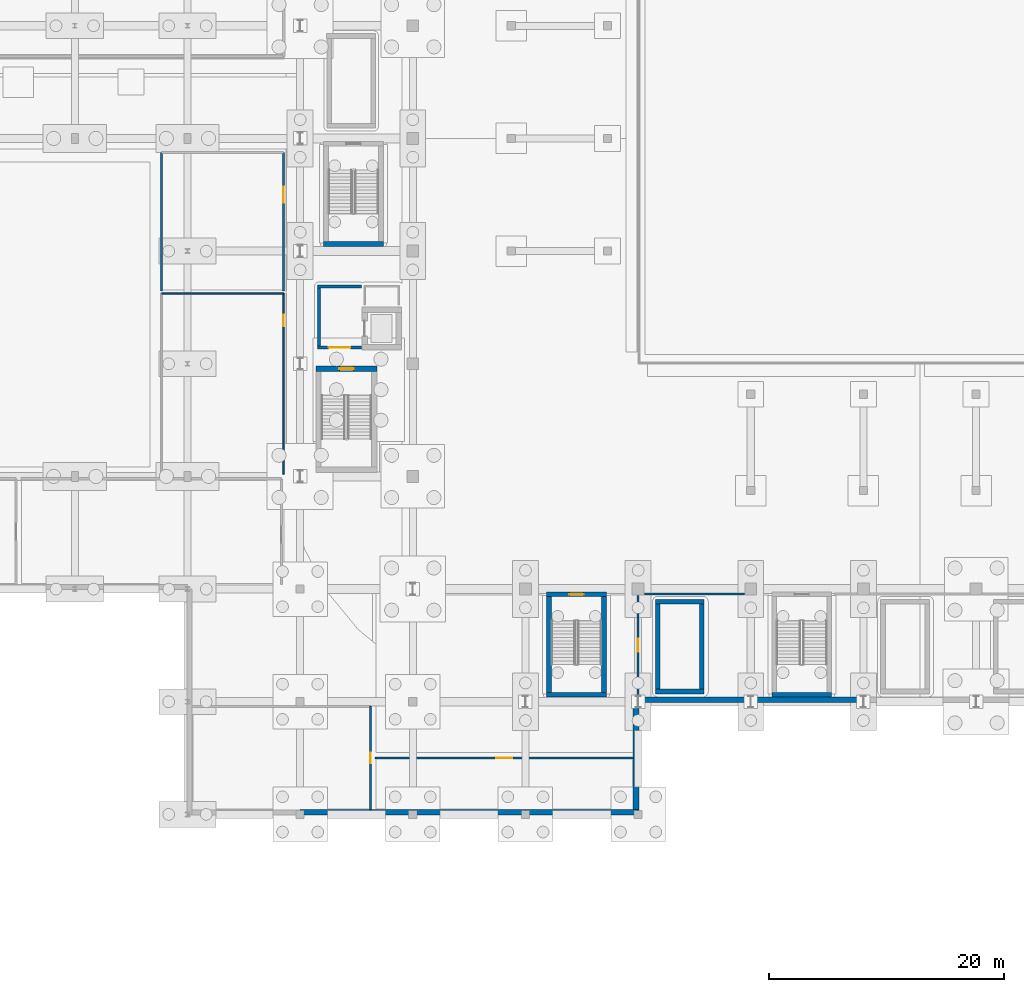
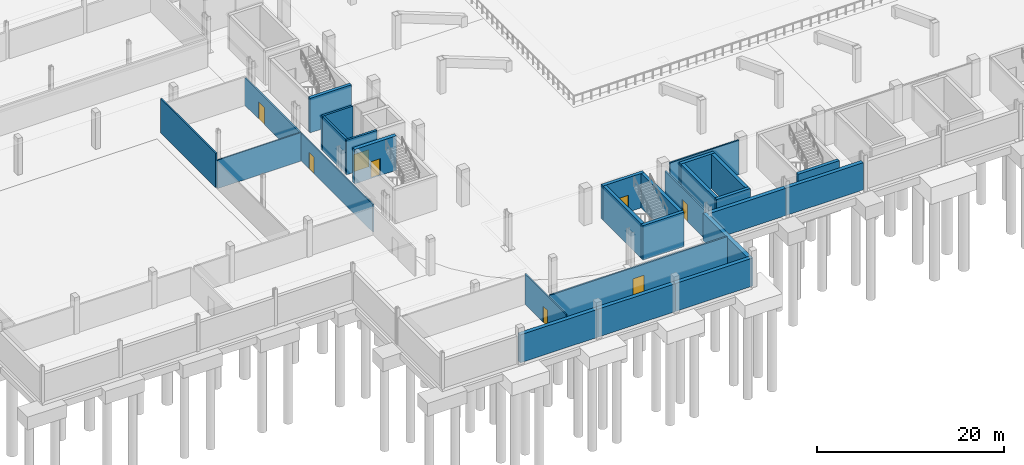
# One storey, part 27 of 67: 28 walls, 8 doors, 8 openings.
"""IFC4 building model written with IfcOpenShell, lengths in metres."""

from ifc_helpers import new_model, si_unit, direction, frame, frame_2d, origin, place, context, subcontext, project, spatial, rectangle, extrude, material, layer, layer_set, type_object, element, fill, save


model = new_model("IFC4")

# Units and contexts
model_context = context("Model", 3, precision=1e-05, world=origin(), true_north=direction((0.0, 1.0)))
body_context = subcontext(model_context, "Body", "Model", "MODEL_VIEW")
ifc_project = project(units=[si_unit("LENGTHUNIT", "METRE"), si_unit("AREAUNIT", "SQUARE_METRE"), si_unit("VOLUMEUNIT", "CUBIC_METRE"), si_unit("PLANEANGLEUNIT", "RADIAN"), si_unit("MASSUNIT", "GRAM", prefix="KILO")], contexts=[model_context])

# Site, building, storey
site_placement = place(None, origin())
site = spatial("IfcSite", under=ifc_project, at=site_placement, CompositionType="ELEMENT")
building_placement = place(site_placement, origin())
building = spatial("IfcBuilding", under=site, at=building_placement, Name="Caelomonte Colonnade Arena", CompositionType="ELEMENT")
storey_placement = place(building_placement, frame((0.0, 0.0, -4.800048828125)))
storey = spatial("IfcBuildingStorey", under=building, at=storey_placement, Name="B1", CompositionType="ELEMENT", Elevation=-4.800048828125)

# Walls
ifc_material_1 = material(Name="Concrete C40/50", Category="concrete")
ifc_layer_1 = layer(ifc_material_1, 0.47998046875)
ifc_layer_set_1 = layer_set([ifc_layer_1], Name="Concrete C40/50")
wall_type_1 = type_object("IfcWallType", Name="ENV-WL-RET48", PredefinedType="USERDEFINED", material=ifc_layer_set_1)
wall_1_placement = place(storey_placement, frame((57.60009765625, 9.780029296875, 0.0), z_axis=(0.0, 0.0, 1.0), x_axis=(1.0, 0.0, 0.0)))
element("IfcWall", 1, at=wall_1_placement, inside=storey, type_object=wall_type_1, Name="B1 exterior retaining plinth wall EW-B1-0008", ObjectType="RETAINING WALL", PredefinedType="USERDEFINED", context=body_context, shape_type="SweptSolid", body=[
    extrude(rectangle(XDim=9.599853515625, YDim=0.47998046875, at=frame_2d((4.7998046875, 0.0))), origin(), (0.0, 0.0, 1.0), 3.654296875),
])
wall_2_placement = place(storey_placement, frame((67.199951171875, 9.780029296875, 0.0), z_axis=(0.0, 0.0, 1.0), x_axis=(1.0, 0.0, 0.0)))
element("IfcWall", 2, at=wall_2_placement, inside=storey, type_object=wall_type_1, Name="B1 exterior retaining plinth wall EW-B1-0009", ObjectType="RETAINING WALL", PredefinedType="USERDEFINED", context=body_context, shape_type="SweptSolid", body=[
    extrude(rectangle(XDim=9.60009765625, YDim=0.47998046875, at=frame_2d((4.800048828125, 0.0))), origin(), (0.0, 0.0, 1.0), 3.654296875),
])
wall_3_placement = place(storey_placement, frame((76.800048828125, 9.780029296875, 0.0), z_axis=(0.0, 0.0, 1.0), x_axis=(1.0, 0.0, 0.0)))
element("IfcWall", 3, at=wall_3_placement, inside=storey, type_object=wall_type_1, Name="B1 exterior retaining plinth wall EW-B1-0010", ObjectType="RETAINING WALL", PredefinedType="USERDEFINED", context=body_context, shape_type="SweptSolid", body=[
    extrude(rectangle(XDim=9.599853515625, YDim=0.47998046875, at=frame_2d((4.7998046875, 0.0))), origin(), (0.0, 0.0, 1.0), 3.654296875),
])
wall_4_placement = place(storey_placement, frame((86.219970703125, 9.60009765625, 0.0), z_axis=(0.0, 0.0, 1.0), x_axis=(0.0, 1.0, 0.0)))
element("IfcWall", 4, at=wall_4_placement, inside=storey, type_object=wall_type_1, Name="B1 exterior retaining plinth wall EW-B1-0011", ObjectType="RETAINING WALL", PredefinedType="USERDEFINED", context=body_context, shape_type="SweptSolid", body=[
    extrude(rectangle(XDim=9.949951171875, YDim=0.47998046875, at=frame_2d((4.97509765625, 0.0))), origin(), (0.0, 0.0, 1.0), 3.572998046875),
])
for number, where, z_axis, x_axis, name in (
    (5, (86.39990234375, 19.3798828125, 0.0), (0.0, 0.0, 1.0), (1.0, 0.0, 0.0), "B1 exterior retaining plinth wall EW-B1-0012"),
    (6, (96.0, 19.3798828125, 0.0), (0.0, 0.0, 1.0), (1.0, 0.0, 0.0), "B1 exterior retaining plinth wall EW-B1-0013"),
):
    element("IfcWall", number, at=place(storey_placement, frame(where, z_axis=z_axis, x_axis=x_axis)), inside=storey, type_object=wall_type_1, Name=name, ObjectType="RETAINING WALL", PredefinedType="USERDEFINED", context=body_context, shape_type="SweptSolid", body=[
        extrude(rectangle(XDim=9.60009765625, YDim=0.47998046875, at=frame_2d((4.800048828125, 0.0))), origin(), (0.0, 0.0, 1.0), 3.572998046875),
    ])

# Wall, opening, door
ifc_layer_2 = layer(ifc_material_1, 0.260009765625)
ifc_layer_set_2 = layer_set([ifc_layer_2], Name="Concrete C40/50")
wall_type_2 = type_object("IfcWallType", Name="INT-WL-FW26", PredefinedType="SOLIDWALL", material=ifc_layer_set_2)
wall_5_placement = place(storey_placement, frame((59.070068359375, 49.39990234375, 0.0), z_axis=(0.0, 0.0, 1.0), x_axis=(1.0, 0.0, 0.0)))
wall_5 = element("IfcWall", 7, at=wall_5_placement, inside=storey, type_object=wall_type_2, Name="FW-C1-LB B1 south enclosure wall", PredefinedType="SOLIDWALL", context=body_context, shape_type="SweptSolid", body=[
    extrude(rectangle(XDim=3.760009765625, YDim=0.260009765625, at=frame_2d((1.8798828125, 0.0))), origin(), (0.0, 0.0, 1.0), 4.5),
])
opening_1_placement = place(wall_5_placement, frame((2.80517578125, 0.0, 0.0), z_axis=(0.0, 0.0, 1.0), x_axis=(-1.0, 0.0, 0.0)))
opening_1 = element("IfcOpeningElement", 8, at=opening_1_placement, cuts=wall_5, Name="Opening FD-2", PredefinedType="OPENING", context=body_context, shape_type="SweptSolid", body=[
    extrude(rectangle(XDim=1.85009765625, YDim=2.25, at=frame_2d((0.925048828125, 1.125))), frame((0.0, 0.139892578125, 0.0), z_axis=(0.0, -1.0, 0.0), x_axis=(1.0, 0.0, 0.0)), (0.0, 0.0, 1.0), 0.280029296875),
])
ifc_material_2 = material(Name="Fire-rated double steel door", Category="steel")
door_type_1 = type_object("IfcDoorType", Name="INT-DR-FD90B", OperationType="DOUBLE_DOOR_SINGLE_SWING", PredefinedType="DOOR", material=ifc_material_2)
door_1_placement = place(opening_1_placement, origin())
door_1 = element("IfcDoor", 9, at=door_1_placement, inside=storey, type_object=door_type_1, Name="Core C1 B1 lobby fire door", OperationType="DOUBLE_DOOR_SINGLE_SWING", OverallHeight=2.25, OverallWidth=1.85009765625, PredefinedType="DOOR", context=body_context, shape_type="SweptSolid", body=[
    extrude(rectangle(XDim=1.85009765625, YDim=2.25, at=frame_2d((0.925048828125, 1.125))), frame((0.0, 0.02490234375, 0.0), z_axis=(0.0, -1.0, 0.0), x_axis=(1.0, 0.0, 0.0)), (0.0, 0.0, 1.0), 0.050048828125),
])
fill(opening_1, door_1)

# Walls
wall_6_placement = place(storey_placement, frame((62.830078125, 54.60009765625, 0.0), z_axis=(0.0, 0.0, 1.0), x_axis=(-1.0, 0.0, 0.0)))
element("IfcWall", 10, at=wall_6_placement, inside=storey, type_object=wall_type_2, Name="FW-C1-LB B1 north enclosure wall", PredefinedType="SOLIDWALL", context=body_context, shape_type="SweptSolid", body=[
    extrude(rectangle(XDim=3.760009765625, YDim=0.260009765625, at=frame_2d((1.8798828125, 0.0))), origin(), (0.0, 0.0, 1.0), 4.5),
])
wall_7_placement = place(storey_placement, frame((59.199951171875, 54.469970703125, 0.0), z_axis=(0.0, 0.0, 1.0), x_axis=(0.0, -1.0, 0.0)))
element("IfcWall", 11, at=wall_7_placement, inside=storey, type_object=wall_type_2, Name="FW-C1-LB B1 west enclosure wall", PredefinedType="SOLIDWALL", context=body_context, shape_type="SweptSolid", body=[
    extrude(rectangle(XDim=4.93994140625, YDim=0.260009765625, at=frame_2d((2.469970703125, 0.0))), origin(), (0.0, 0.0, 1.0), 4.5),
])
ifc_material_3 = material(Name="Suite demising stud partition")
ifc_layer_3 = layer(ifc_material_3, 0.139892578125)
ifc_layer_set_3 = layer_set([ifc_layer_3], Name="Suite demising stud partition")
wall_type_3 = type_object("IfcWallType", Name="INT-WL-PT14", PredefinedType="PARTITIONING", material=ifc_layer_set_3)
wall_8_placement = place(storey_placement, frame((45.800048828125, 54.0, 0.0), z_axis=(0.0, 0.0, 1.0), x_axis=(1.0, 0.0, 0.0)))
element("IfcWall", 12, at=wall_8_placement, inside=storey, type_object=wall_type_3, Name="B1 Star Dressing Suite partition 56", PredefinedType="PARTITIONING", context=body_context, shape_type="SweptSolid", body=[
    extrude(rectangle(XDim=10.39990234375, YDim=0.139892578125, at=frame_2d((5.199951171875, 0.0))), origin(), (0.0, 0.0, 1.0), 3.738037109375),
])

# Wall, opening, door
wall_9_placement = place(storey_placement, frame((56.199951171875, 54.0, 0.0), z_axis=(0.0, 0.0, 1.0), x_axis=(0.0, -1.0, 0.0)))
wall_9 = element("IfcWall", 13, at=wall_9_placement, inside=storey, type_object=wall_type_3, Name="B1 Star Dressing Suite partition 57", PredefinedType="PARTITIONING", context=body_context, shape_type="SweptSolid", body=[
    extrude(rectangle(XDim=15.39990234375, YDim=0.139892578125, at=frame_2d((7.699951171875, 0.0))), origin(), (0.0, 0.0, 1.0), 3.60009765625),
])
opening_2_placement = place(wall_9_placement, frame((1.806884765625, 0.0, 0.0), z_axis=(0.0, 0.0, 1.0), x_axis=(1.0, 0.0, 0.0)))
opening_2 = element("IfcOpeningElement", 14, at=opening_2_placement, cuts=wall_9, Name="Opening D-B1-017", PredefinedType="OPENING", context=body_context, shape_type="SweptSolid", body=[
    extrude(rectangle(XDim=1.0, YDim=2.199951171875, at=frame_2d((0.5, 1.10009765625))), frame((0.0, 0.079833984375, 0.0), z_axis=(0.0, -1.0, 0.0), x_axis=(1.0, 0.0, 0.0)), (0.0, 0.0, 1.0), 0.159912109375),
])
ifc_material_4 = material(Name="Hardwood veneer acoustic suite door", Category="wood")
door_type_2 = type_object("IfcDoorType", Name="INT-DR-SU1", OperationType="NOTDEFINED", PredefinedType="DOOR", material=ifc_material_4)
door_2_placement = place(opening_2_placement, origin())
door_2 = element("IfcDoor", 15, at=door_2_placement, inside=storey, type_object=door_type_2, Name="B1 Star Dressing Suite door D-B1-017", OperationType="SINGLE_SWING_RIGHT", OverallHeight=2.199951171875, OverallWidth=1.0, PredefinedType="DOOR", context=body_context, shape_type="SweptSolid", body=[
    extrude(rectangle(XDim=1.0, YDim=2.199951171875, at=frame_2d((0.5, 1.10009765625))), frame((0.0, 0.02490234375, 0.0), z_axis=(0.0, -1.0, 0.0), x_axis=(1.0, 0.0, 0.0)), (0.0, 0.0, 1.0), 0.050048828125),
])
fill(opening_2, door_2)

ifc_material_5 = material(Name="Moisture-resistant WC partition")
ifc_layer_4 = layer(ifc_material_5, 0.159912109375)
ifc_layer_set_4 = layer_set([ifc_layer_4], Name="Moisture-resistant WC partition")
wall_type_4 = type_object("IfcWallType", Name="INT-WL-PT16", PredefinedType="PARTITIONING", material=ifc_layer_set_4)
wall_10_placement = place(storey_placement, frame((63.60009765625, 18.800048828125, 0.0), z_axis=(0.0, 0.0, 1.0), x_axis=(0.0, -1.0, 0.0)))
wall_10 = element("IfcWall", 16, at=wall_10_placement, inside=storey, type_object=wall_type_4, Name="B1 Staff Restroom partition 45", PredefinedType="PARTITIONING", context=body_context, shape_type="SweptSolid", body=[
    extrude(rectangle(XDim=8.800048828125, YDim=0.159912109375, at=frame_2d((4.39990234375, 0.0))), origin(), (0.0, 0.0, 1.0), 3.966552734375),
])
opening_3_placement = place(wall_10_placement, frame((3.93994140625, 0.0, 0.0), z_axis=(0.0, 0.0, 1.0), x_axis=(1.0, 0.0, 0.0)))
opening_3 = element("IfcOpeningElement", 17, at=opening_3_placement, cuts=wall_10, Name="Opening D-B1-013", PredefinedType="OPENING", context=body_context, shape_type="SweptSolid", body=[
    extrude(rectangle(XDim=0.919921875, YDim=2.1201171875, at=frame_2d((0.4599609375, 1.06005859375))), frame((0.0, 0.08984375, 0.0), z_axis=(0.0, -1.0, 0.0), x_axis=(1.0, 0.0, 0.0)), (0.0, 0.0, 1.0), 0.179931640625),
])
ifc_material_6 = material(Name="Laminate restroom entrance door")
door_type_3 = type_object("IfcDoorType", Name="INT-DR-WC1", OperationType="NOTDEFINED", PredefinedType="DOOR", material=ifc_material_6)
door_3_placement = place(opening_3_placement, origin())
door_3 = element("IfcDoor", 18, at=door_3_placement, inside=storey, type_object=door_type_3, Name="B1 Staff Restroom door D-B1-013", OperationType="SINGLE_SWING_RIGHT", OverallHeight=2.1201171875, OverallWidth=0.919921875, PredefinedType="DOOR", context=body_context, shape_type="SweptSolid", body=[
    extrude(rectangle(XDim=0.919921875, YDim=2.1201171875, at=frame_2d((0.4599609375, 1.06005859375))), frame((0.0, 0.02490234375, 0.0), z_axis=(0.0, -1.0, 0.0), x_axis=(1.0, 0.0, 0.0)), (0.0, 0.0, 1.0), 0.050048828125),
])
fill(opening_3, door_3)

ifc_material_7 = material(Name="Acoustic gypsum stud partition")
ifc_layer_5 = layer(ifc_material_7, 0.179931640625)
ifc_layer_set_5 = layer_set([ifc_layer_5], Name="Acoustic gypsum stud partition")
wall_type_5 = type_object("IfcWallType", Name="INT-WL-PT18", PredefinedType="PARTITIONING", material=ifc_layer_set_5)
wall_11_placement = place(storey_placement, frame((86.39990234375, 19.755615234375, 0.0), z_axis=(0.0, 0.0, 1.0), x_axis=(0.0, 1.0, 0.0)))
wall_11 = element("IfcWall", 19, at=wall_11_placement, inside=storey, type_object=wall_type_5, Name="B1 Athlete Media Mix Zone partition 1", PredefinedType="PARTITIONING", context=body_context, shape_type="SweptSolid", body=[
    extrude(rectangle(XDim=8.50927734375, YDim=0.179931640625, at=frame_2d((4.254638671875, 0.0))), origin(), (0.0, 0.0, 1.0), 3.699951171875),
])
opening_4_placement = place(wall_11_placement, frame((3.714599609375, 0.0, 0.0), z_axis=(0.0, 0.0, 1.0), x_axis=(1.0, 0.0, 0.0)))
opening_4 = element("IfcOpeningElement", 20, at=opening_4_placement, cuts=wall_11, Name="Opening D-B1-001", PredefinedType="OPENING", context=body_context, shape_type="SweptSolid", body=[
    extrude(rectangle(XDim=1.080078125, YDim=2.219970703125, at=frame_2d((0.5400390625, 1.10986328125))), frame((0.0, 0.099853515625, 0.0), z_axis=(0.0, -1.0, 0.0), x_axis=(1.0, 0.0, 0.0)), (0.0, 0.0, 1.0), 0.199951171875),
])
ifc_material_8 = material(Name="Acoustic broadcast studio door")
door_type_4 = type_object("IfcDoorType", Name="INT-DR-MED", OperationType="NOTDEFINED", PredefinedType="DOOR", material=ifc_material_8)
door_4_placement = place(opening_4_placement, origin())
door_4 = element("IfcDoor", 21, at=door_4_placement, inside=storey, type_object=door_type_4, Name="B1 Athlete Media Mix Zone door D-B1-001", OperationType="SINGLE_SWING_RIGHT", OverallHeight=2.219970703125, OverallWidth=1.080078125, PredefinedType="DOOR", context=body_context, shape_type="SweptSolid", body=[
    extrude(rectangle(XDim=1.080078125, YDim=2.219970703125, at=frame_2d((0.5400390625, 1.10986328125))), frame((0.0, 0.02490234375, 0.0), z_axis=(0.0, -1.0, 0.0), x_axis=(1.0, 0.0, 0.0)), (0.0, 0.0, 1.0), 0.050048828125),
])
fill(opening_4, door_4)

# Wall
wall_12_placement = place(storey_placement, frame((86.93505859375, 28.3798828125, 0.0), z_axis=(0.0, 0.0, 1.0), x_axis=(1.0, 0.0, 0.0)))
element("IfcWall", 22, at=wall_12_placement, inside=storey, type_object=wall_type_5, Name="B1 Athlete Media Mix Zone partition 2", PredefinedType="PARTITIONING", context=body_context, shape_type="SweptSolid", body=[
    extrude(rectangle(XDim=8.530029296875, YDim=0.179931640625, at=frame_2d((4.26513671875, 0.0))), origin(), (0.0, 0.0, 1.0), 4.5),
])

# Wall, opening, door
wall_13_placement = place(storey_placement, frame((64.0, 14.39990234375, 0.0), z_axis=(0.0, 0.0, 1.0), x_axis=(1.0, 0.0, 0.0)))
wall_13 = element("IfcWall", 23, at=wall_13_placement, inside=storey, type_object=wall_type_5, Name="B1 Staff Bicycle and Locker Room partition 46", PredefinedType="PARTITIONING", context=body_context, shape_type="SweptSolid", body=[
    extrude(rectangle(XDim=22.0, YDim=0.179931640625, at=frame_2d((11.0, 0.0))), origin(), (0.0, 0.0, 1.0), 3.699951171875),
])
opening_5_placement = place(wall_13_placement, frame((10.324951171875, 0.0, 0.0), z_axis=(0.0, 0.0, 1.0), x_axis=(1.0, 0.0, 0.0)))
opening_5 = element("IfcOpeningElement", 24, at=opening_5_placement, cuts=wall_13, Name="Opening D-B1-014", PredefinedType="OPENING", context=body_context, shape_type="SweptSolid", body=[
    extrude(rectangle(XDim=1.35009765625, YDim=2.25, at=frame_2d((0.675048828125, 1.125))), frame((0.0, 0.099853515625, 0.0), z_axis=(0.0, -1.0, 0.0), x_axis=(1.0, 0.0, 0.0)), (0.0, 0.0, 1.0), 0.199951171875),
])
ifc_material_9 = material(Name="Wide athlete locker suite door")
door_type_5 = type_object("IfcDoorType", Name="INT-DR-ATH", OperationType="NOTDEFINED", PredefinedType="DOOR", material=ifc_material_9)
door_5_placement = place(opening_5_placement, origin())
door_5 = element("IfcDoor", 25, at=door_5_placement, inside=storey, type_object=door_type_5, Name="B1 Staff Bicycle and Locker Room door D-B1-014", OperationType="SINGLE_SWING_LEFT", OverallHeight=2.25, OverallWidth=1.35009765625, PredefinedType="DOOR", context=body_context, shape_type="SweptSolid", body=[
    extrude(rectangle(XDim=1.35009765625, YDim=2.25, at=frame_2d((0.675048828125, 1.125))), frame((0.0, 0.02490234375, 0.0), z_axis=(0.0, -1.0, 0.0), x_axis=(1.0, 0.0, 0.0)), (0.0, 0.0, 1.0), 0.050048828125),
])
fill(opening_5, door_5)

wall_14_placement = place(storey_placement, frame((56.199951171875, 66.0, 0.0), z_axis=(0.0, 0.0, 1.0), x_axis=(0.0, -1.0, 0.0)))
wall_14 = element("IfcWall", 26, at=wall_14_placement, inside=storey, type_object=wall_type_5, Name="B1 Doping Control Clinic partition 59", PredefinedType="PARTITIONING", context=body_context, shape_type="SweptSolid", body=[
    extrude(rectangle(XDim=11.800048828125, YDim=0.179931640625, at=frame_2d((5.89990234375, 0.0))), origin(), (0.0, 0.0, 1.0), 3.60009765625),
])
opening_6_placement = place(wall_14_placement, frame((2.925048828125, 0.0, 0.0), z_axis=(0.0, 0.0, 1.0), x_axis=(1.0, 0.0, 0.0)))
opening_6 = element("IfcOpeningElement", 27, at=opening_6_placement, cuts=wall_14, Name="Opening D-B1-018", PredefinedType="OPENING", context=body_context, shape_type="SweptSolid", body=[
    extrude(rectangle(XDim=1.35009765625, YDim=2.25, at=frame_2d((0.675048828125, 1.125))), frame((0.0, 0.099853515625, 0.0), z_axis=(0.0, -1.0, 0.0), x_axis=(1.0, 0.0, 0.0)), (0.0, 0.0, 1.0), 0.199951171875),
])
door_6_placement = place(opening_6_placement, origin())
door_6 = element("IfcDoor", 28, at=door_6_placement, inside=storey, type_object=door_type_5, Name="B1 Doping Control Clinic door D-B1-018", OperationType="SINGLE_SWING_LEFT", OverallHeight=2.25, OverallWidth=1.35009765625, PredefinedType="DOOR", context=body_context, shape_type="SweptSolid", body=[
    extrude(rectangle(XDim=1.35009765625, YDim=2.25, at=frame_2d((0.675048828125, 1.125))), frame((0.0, 0.02490234375, 0.0), z_axis=(0.0, -1.0, 0.0), x_axis=(1.0, 0.0, 0.0)), (0.0, 0.0, 1.0), 0.050048828125),
])
fill(opening_6, door_6)

# Walls
wall_15_placement = place(storey_placement, frame((45.800048828125, 54.199951171875, 0.0), z_axis=(0.0, 0.0, 1.0), x_axis=(0.0, 1.0, 0.0)))
element("IfcWall", 29, at=wall_15_placement, inside=storey, type_object=wall_type_5, Name="B1 Doping Control Clinic partition 60", PredefinedType="PARTITIONING", context=body_context, shape_type="SweptSolid", body=[
    extrude(rectangle(XDim=11.800048828125, YDim=0.179931640625, at=frame_2d((5.89990234375, 0.0))), origin(), (0.0, 0.0, 1.0), 4.5),
])
ifc_material_10 = material(Name="Concrete C50/60", Category="concrete")
ifc_layer_6 = layer(ifc_material_10, 0.39990234375)
ifc_layer_set_6 = layer_set([ifc_layer_6], Name="Concrete C50/60")
wall_type_6 = type_object("IfcWallType", Name="INT-WL-SH40", PredefinedType="SHEAR", material=ifc_layer_set_6)
for number, where, z_axis, x_axis, name in (
    (30, (59.60009765625, 58.199951171875, 0.0), (0.0, 0.0, 1.0), (1.0, 0.0, 0.0), "CW-ST-09 B1 south enclosure wall"),
    (31, (78.60009765625, 19.800048828125, 0.0), (0.0, 0.0, 1.0), (1.0, 0.0, 0.0), "CW-ST-11 B1 south enclosure wall"),
):
    element("IfcWall", number, at=place(storey_placement, frame(where, z_axis=z_axis, x_axis=x_axis)), inside=storey, type_object=wall_type_6, Name=name, PredefinedType="SHEAR", context=body_context, shape_type="SweptSolid", body=[
        extrude(rectangle(XDim=5.099853515625, YDim=0.39990234375, at=frame_2d((2.5498046875, 0.0))), origin(), (0.0, 0.0, 1.0), 4.5),
    ])

# Wall, opening, door
wall_16_placement = place(storey_placement, frame((83.699951171875, 28.35009765625, 0.0), z_axis=(0.0, 0.0, 1.0), x_axis=(-1.0, 0.0, 0.0)))
wall_16 = element("IfcWall", 32, at=wall_16_placement, inside=storey, type_object=wall_type_6, Name="CW-ST-11 B1 north enclosure wall", PredefinedType="SHEAR", context=body_context, shape_type="SweptSolid", body=[
    extrude(rectangle(XDim=5.099853515625, YDim=0.39990234375, at=frame_2d((2.5498046875, 0.0))), origin(), (0.0, 0.0, 1.0), 4.5),
])
opening_7_placement = place(wall_16_placement, frame((3.14990234375, 0.0, 0.0), z_axis=(0.0, 0.0, 1.0), x_axis=(-1.0, 0.0, 0.0)))
opening_7 = element("IfcOpeningElement", 33, at=opening_7_placement, cuts=wall_16, Name="Opening FD-1", PredefinedType="OPENING", context=body_context, shape_type="SweptSolid", body=[
    extrude(rectangle(XDim=1.199951171875, YDim=2.199951171875, at=frame_2d((0.60009765625, 1.10009765625))), frame((0.0, 0.2099609375, 0.0), z_axis=(0.0, -1.0, 0.0), x_axis=(1.0, 0.0, 0.0)), (0.0, 0.0, 1.0), 0.419921875),
])
ifc_material_11 = material(Name="Fire-rated steel door", Category="steel")
door_type_6 = type_object("IfcDoorType", Name="INT-DR-FD90A", OperationType="NOTDEFINED", PredefinedType="DOOR", material=ifc_material_11)
door_7_placement = place(opening_7_placement, origin())
door_7 = element("IfcDoor", 34, at=door_7_placement, inside=storey, type_object=door_type_6, Name="Protected exit stair ST-11 B1 fire door", OperationType="SINGLE_SWING_RIGHT", OverallHeight=2.199951171875, OverallWidth=1.199951171875, PredefinedType="DOOR", context=body_context, shape_type="SweptSolid", body=[
    extrude(rectangle(XDim=1.199951171875, YDim=2.199951171875, at=frame_2d((0.60009765625, 1.10009765625))), frame((0.0, 0.02490234375, 0.0), z_axis=(0.0, -1.0, 0.0), x_axis=(1.0, 0.0, 0.0)), (0.0, 0.0, 1.0), 0.050048828125),
])
fill(opening_7, door_7)

# Walls
for number, where, z_axis, x_axis, name in (
    (35, (78.800048828125, 28.14990234375, 0.0), (0.0, 0.0, 1.0), (0.0, -1.0, 0.0), "CW-ST-11 B1 west enclosure wall"),
    (36, (83.5, 20.0, 0.0), (0.0, 0.0, 1.0), (0.0, 1.0, 0.0), "CW-ST-11 B1 east enclosure wall"),
):
    element("IfcWall", number, at=place(storey_placement, frame(where, z_axis=z_axis, x_axis=x_axis)), inside=storey, type_object=wall_type_6, Name=name, PredefinedType="SHEAR", context=body_context, shape_type="SweptSolid", body=[
        extrude(rectangle(XDim=8.14990234375, YDim=0.39990234375, at=frame_2d((4.074951171875, 0.0))), origin(), (0.0, 0.0, 1.0), 4.5),
    ])
wall_17_placement = place(storey_placement, frame((97.800048828125, 19.800048828125, 0.0), z_axis=(0.0, 0.0, 1.0), x_axis=(1.0, 0.0, 0.0)))
element("IfcWall", 37, at=wall_17_placement, inside=storey, type_object=wall_type_6, Name="CW-ST-12 B1 south enclosure wall", PredefinedType="SHEAR", context=body_context, shape_type="SweptSolid", body=[
    extrude(rectangle(XDim=5.099853515625, YDim=0.39990234375, at=frame_2d((2.5498046875, 0.0))), origin(), (0.0, 0.0, 1.0), 4.5),
])
for number, where, z_axis, x_axis, name in (
    (38, (87.8701171875, 20.070068359375, 0.0), (0.0, 0.0, 1.0), (1.0, 0.0, 0.0), "CW-ST-V01 B1 south enclosure wall"),
    (39, (92.030029296875, 27.72998046875, 0.0), (0.0, 0.0, 1.0), (-1.0, 0.0, 0.0), "CW-ST-V01 B1 north enclosure wall"),
):
    element("IfcWall", number, at=place(storey_placement, frame(where, z_axis=z_axis, x_axis=x_axis)), inside=storey, type_object=wall_type_6, Name=name, PredefinedType="SHEAR", context=body_context, shape_type="SweptSolid", body=[
        extrude(rectangle(XDim=4.159912109375, YDim=0.39990234375, at=frame_2d((2.080078125, 0.0))), origin(), (0.0, 0.0, 1.0), 4.5),
    ])
for number, where, z_axis, x_axis, name in (
    (40, (88.070068359375, 27.530029296875, 0.0), (0.0, 0.0, 1.0), (0.0, -1.0, 0.0), "CW-ST-V01 B1 west enclosure wall"),
    (41, (91.830078125, 20.27001953125, 0.0), (0.0, 0.0, 1.0), (0.0, 1.0, 0.0), "CW-ST-V01 B1 east enclosure wall"),
):
    element("IfcWall", number, at=place(storey_placement, frame(where, z_axis=z_axis, x_axis=x_axis)), inside=storey, type_object=wall_type_6, Name=name, PredefinedType="SHEAR", context=body_context, shape_type="SweptSolid", body=[
        extrude(rectangle(XDim=7.260009765625, YDim=0.39990234375, at=frame_2d((3.6298828125, 0.0))), origin(), (0.0, 0.0, 1.0), 4.5),
    ])

# Wall, opening, door
ifc_layer_7 = layer(ifc_material_10, 0.449951171875)
ifc_layer_set_7 = layer_set([ifc_layer_7], Name="Concrete C50/60")
wall_type_7 = type_object("IfcWallType", Name="INT-WL-SH45", PredefinedType="SHEAR", material=ifc_layer_set_7)
wall_18_placement = place(storey_placement, frame((64.14990234375, 47.574951171875, 0.0), z_axis=(0.0, 0.0, 1.0), x_axis=(-1.0, 0.0, 0.0)))
wall_18 = element("IfcWall", 42, at=wall_18_placement, inside=storey, type_object=wall_type_7, Name="CW-C1-ST B1 north enclosure wall", PredefinedType="SHEAR", context=body_context, shape_type="SweptSolid", body=[
    extrude(rectangle(XDim=5.199951171875, YDim=0.449951171875, at=frame_2d((2.60009765625, 0.0))), origin(), (0.0, 0.0, 1.0), 4.5),
])
opening_8_placement = place(wall_18_placement, frame((3.199951171875, 0.0, 0.0), z_axis=(0.0, 0.0, 1.0), x_axis=(-1.0, 0.0, 0.0)))
opening_8 = element("IfcOpeningElement", 43, at=opening_8_placement, cuts=wall_18, Name="Opening FD-1", PredefinedType="OPENING", context=body_context, shape_type="SweptSolid", body=[
    extrude(rectangle(XDim=1.199951171875, YDim=2.199951171875, at=frame_2d((0.60009765625, 1.10009765625))), frame((0.0, 0.23486328125, 0.0), z_axis=(0.0, -1.0, 0.0), x_axis=(1.0, 0.0, 0.0)), (0.0, 0.0, 1.0), 0.469970703125),
])
door_8_placement = place(opening_8_placement, origin())
door_8 = element("IfcDoor", 44, at=door_8_placement, inside=storey, type_object=door_type_6, Name="Core C1 B1 exit stair fire door", OperationType="SINGLE_SWING_RIGHT", OverallHeight=2.199951171875, OverallWidth=1.199951171875, PredefinedType="DOOR", context=body_context, shape_type="SweptSolid", body=[
    extrude(rectangle(XDim=1.199951171875, YDim=2.199951171875, at=frame_2d((0.60009765625, 1.10009765625))), frame((0.0, 0.02490234375, 0.0), z_axis=(0.0, -1.0, 0.0), x_axis=(1.0, 0.0, 0.0)), (0.0, 0.0, 1.0), 0.050048828125),
])
fill(opening_8, door_8)

save(model, "model.ifc")
